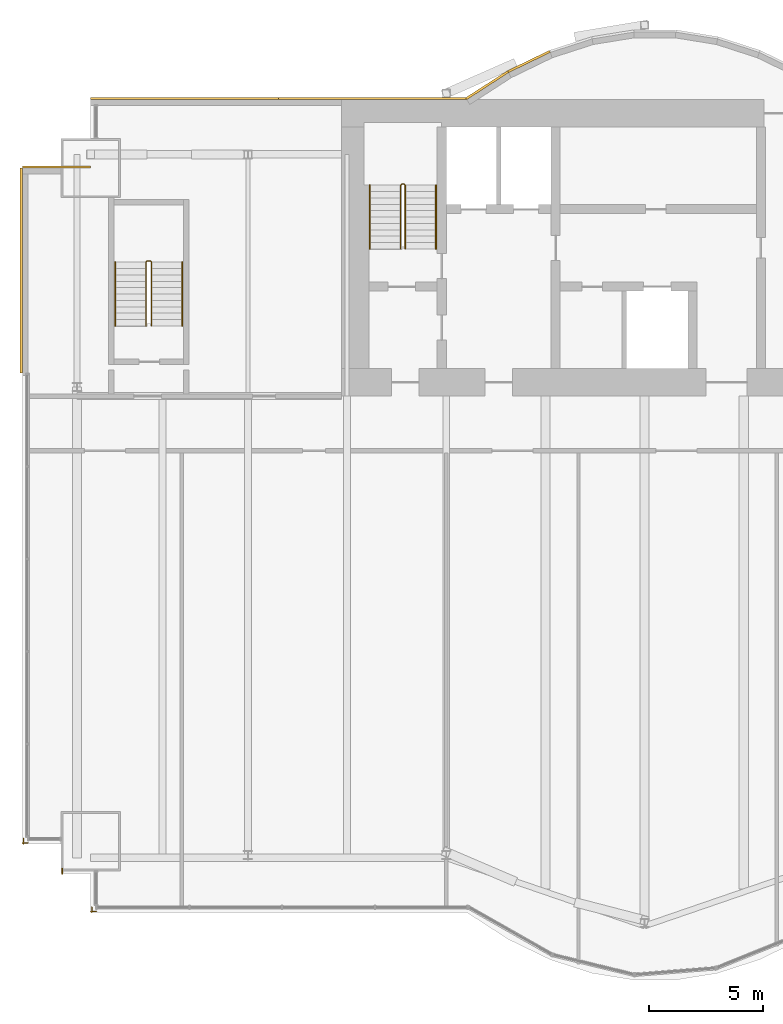
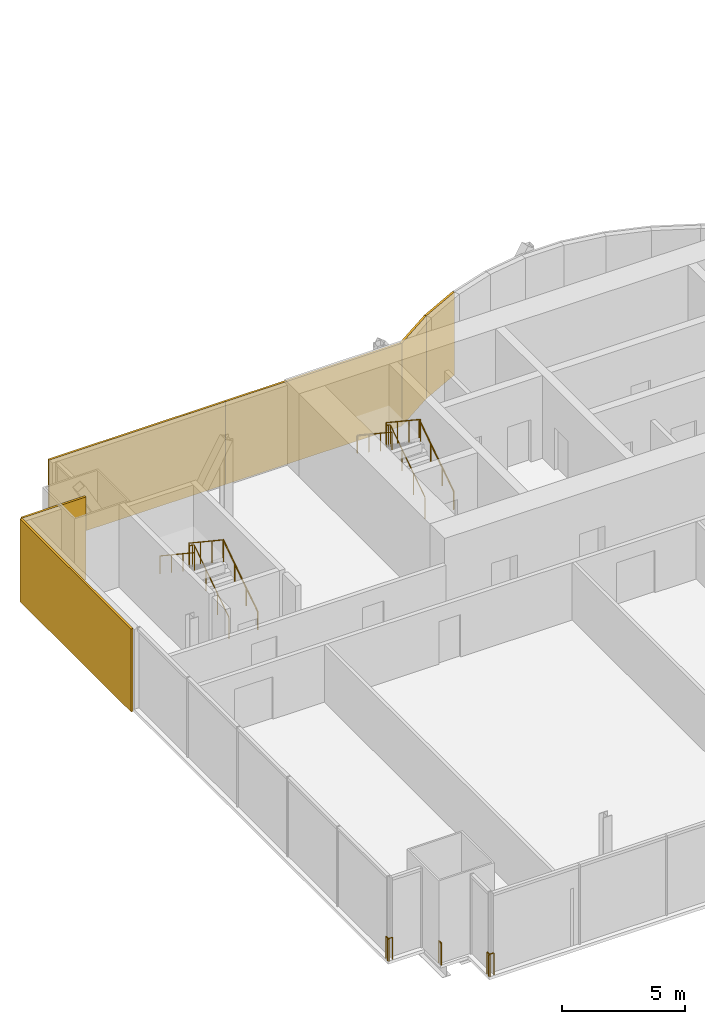
# One storey, part 20 of 22: 9 railings, 6 coverings.
"""IFC4 building model written with IfcOpenShell, lengths in metres."""

from ifc_helpers import new_model, si_unit, direction, frame, origin, origin_2d, place, context, subcontext, project, spatial, rectangle, circle, extrude, material, layer, layer_set, type_object, element, save


model = new_model("IFC4")

# Units and contexts
model_context = context("Model", 3, precision=1e-05, world=origin(), true_north=direction((0.0, 1.0)))
body_context = subcontext(model_context, "Body", "Model", "MODEL_VIEW")
ifc_project = project(units=[si_unit("LENGTHUNIT", "METRE"), si_unit("AREAUNIT", "SQUARE_METRE"), si_unit("VOLUMEUNIT", "CUBIC_METRE"), si_unit("PLANEANGLEUNIT", "RADIAN"), si_unit("MASSUNIT", "GRAM", prefix="KILO")], contexts=[model_context])

# Site, building, storey
site_placement = place(None, origin())
site = spatial("IfcSite", under=ifc_project, at=site_placement, CompositionType="ELEMENT")
building_placement = place(site_placement, origin())
building = spatial("IfcBuilding", under=site, at=building_placement, Name="Bicima Exchange Tower", CompositionType="ELEMENT")
storey_placement = place(building_placement, frame((0.0, 0.0, 148.60009765625)))
storey = spatial("IfcBuildingStorey", under=building, at=storey_placement, Name="L32", CompositionType="ELEMENT", Elevation=148.60009765625)

# Coverings
ifc_material_1 = material(Name="Bronze metal cladding")
ifc_layer_1 = layer(ifc_material_1, 0.004)
ifc_material_2 = material(Name="Ventilated cavity")
ifc_layer_2 = layer(ifc_material_2, 0.06)
ifc_material_3 = material(Name="Galvanised steel rail and mineral wool", Category="steel")
ifc_layer_3 = layer(ifc_material_3, 0.036)
ifc_layer_set = layer_set([ifc_layer_1, ifc_layer_2, ifc_layer_3], Name="Ventilated cavity")
covering_type = type_object("IfcCoveringType", Name="Bronze metal cladding panel 100", PredefinedType="CLADDING", material=ifc_layer_set)
covering_1_placement = place(storey_placement, frame((-13.771728515625, 1.674560546875, -0.150146484375), z_axis=(0.0, 0.0, 1.0), x_axis=(-0.899818346812, -0.436264762204, 0.0)))
element("IfcCovering", 1, at=covering_1_placement, inside=storey, type_object=covering_type, Name="Bronze cladding L32 18.1", PredefinedType="CLADDING", context=body_context, shape_type="SweptSolid", body=[
    extrude(rectangle(XDim=2.03759765625, YDim=0.10009765625, at=origin_2d()), origin(), (0.0, 0.0, 1.0), 4.10009765625),
])
covering_2_placement = place(storey_placement, frame((-15.610595703125, 0.634521484375, -0.150146484375), z_axis=(0.0, 0.0, 1.0), x_axis=(-0.839790466384, -0.542910648791, 0.0)))
element("IfcCovering", 2, at=covering_2_placement, inside=storey, type_object=covering_type, Name="Bronze cladding L32 19.1", PredefinedType="CLADDING", context=body_context, shape_type="SweptSolid", body=[
    extrude(rectangle(XDim=2.18310546875, YDim=0.10009765625, at=origin_2d()), origin(), (0.0, 0.0, 1.0), 4.10009765625),
])
for number, where, z_axis, x_axis, name in (
    (3, (-20.625, 0.050048828125, -0.150146484375), (0.0, 0.0, 1.0), (-1.0, 0.0, 0.0), "Bronze cladding L32 20.1"),
    (4, (-28.875, 0.050048828125, -0.150146484375), (0.0, 0.0, 1.0), (-1.0, 0.0, 0.0), "Bronze cladding L32 20.2"),
):
    element("IfcCovering", number, at=place(storey_placement, frame(where, z_axis=z_axis, x_axis=x_axis)), inside=storey, type_object=covering_type, Name=name, PredefinedType="CLADDING", context=body_context, shape_type="SweptSolid", body=[
        extrude(rectangle(XDim=8.25, YDim=0.10009765625, at=origin_2d()), origin(), (0.0, 0.0, 1.0), 4.10009765625),
    ])
covering_3_placement = place(storey_placement, frame((-34.5, -2.949951171875, -0.150146484375), z_axis=(0.0, 0.0, 1.0), x_axis=(-1.0, 0.0, 0.0)))
element("IfcCovering", 5, at=covering_3_placement, inside=storey, type_object=covering_type, Name="Bronze cladding L32 22.1", PredefinedType="CLADDING", context=body_context, shape_type="SweptSolid", body=[
    extrude(rectangle(XDim=3.0, YDim=0.10009765625, at=origin_2d()), origin(), (0.0, 0.0, 1.0), 4.10009765625),
])
covering_4_placement = place(storey_placement, frame((-36.050048828125, -7.5, -0.150146484375), z_axis=(0.0, 0.0, 1.0), x_axis=(0.0, -1.0, 0.0)))
element("IfcCovering", 6, at=covering_4_placement, inside=storey, type_object=covering_type, Name="Bronze cladding L32 23.1", PredefinedType="CLADDING", context=body_context, shape_type="SweptSolid", body=[
    extrude(rectangle(XDim=9.0, YDim=0.10009765625, at=origin_2d()), origin(), (0.0, 0.0, 1.0), 4.10009765625),
])

# Railings
ifc_material_4 = material(Name="Stainless steel and bonded safety glass", Category="steel")
railing_type_1 = type_object("IfcRailingType", Name="Edge guard 1100", PredefinedType="GUARDRAIL", material=ifc_material_4)
railing_1_placement = place(storey_placement, frame((-35.757080078125, -32.60595703125, 0.0)))
element("IfcRailing", 7, at=railing_1_placement, inside=storey, type_object=railing_type_1, Name="Edge guard L32 155", PredefinedType="GUARDRAIL", context=body_context, shape_type="SweptSolid", body=[
    extrude(circle(Radius=0.02392578125, at=origin_2d()), frame((0.0, 0.0, 1.076171875), z_axis=(-1.0, 0.0, 0.0), x_axis=(0.0, -1.0, 0.0)), (0.0, 0.0, 1.0), 0.242919921875),
    extrude(circle(Radius=0.02392578125, at=origin_2d()), frame((-0.242919921875, 0.0, 1.076171875), z_axis=(0.707106781187, -0.707106781187, 0.0), x_axis=(0.707106781187, 0.707106781187, 0.0)), (0.0, 0.0, 1.0), 0.07080078125),
    extrude(circle(Radius=0.02392578125, at=origin_2d()), frame((-0.19287109375, -0.050048828125, 1.076171875), z_axis=(0.0, 1.0, 0.0), x_axis=(-1.0, 0.0, 0.0)), (0.0, 0.0, 1.0), 0.2490234375),
    extrude(circle(Radius=0.02099609375, at=origin_2d()), origin(), (0.0, 0.0, 1.0), 1.052001953125),
    extrude(circle(Radius=0.02099609375, at=origin_2d()), frame((-0.242919921875, 0.0, 0.0)), (0.0, 0.0, 1.0), 1.052001953125),
    extrude(circle(Radius=0.02099609375, at=origin_2d()), frame((-0.19287109375, -0.050048828125, 0.0)), (0.0, 0.0, 1.0), 1.052001953125),
    extrude(circle(Radius=0.02099609375, at=origin_2d()), frame((-0.19287109375, 0.198974609375, 0.0)), (0.0, 0.0, 1.0), 1.052001953125),
])
railing_2_placement = place(storey_placement, frame((-32.75, -35.60595703125, 0.0)))
element("IfcRailing", 8, at=railing_2_placement, inside=storey, type_object=railing_type_1, Name="Edge guard L32 159", PredefinedType="GUARDRAIL", context=body_context, shape_type="SweptSolid", body=[
    extrude(circle(Radius=0.02392578125, at=origin_2d()), frame((0.0, 0.0, 1.076171875), z_axis=(-1.0, 0.0, 0.0), x_axis=(0.0, -1.0, 0.0)), (0.0, 0.0, 1.0), 0.25),
    extrude(circle(Radius=0.02392578125, at=origin_2d()), frame((-0.25, 0.0, 1.076171875), z_axis=(0.707106781187, -0.707106781187, 0.0), x_axis=(0.707106781187, 0.707106781187, 0.0)), (0.0, 0.0, 1.0), 0.07080078125),
    extrude(circle(Radius=0.02392578125, at=origin_2d()), frame((-0.199951171875, -0.050048828125, 1.076171875), z_axis=(0.0, 1.0, 0.0), x_axis=(-1.0, 0.0, 0.0)), (0.0, 0.0, 1.0), 0.242919921875),
    extrude(circle(Radius=0.02099609375, at=origin_2d()), origin(), (0.0, 0.0, 1.0), 1.052001953125),
    extrude(circle(Radius=0.02099609375, at=origin_2d()), frame((-0.25, 0.0, 0.0)), (0.0, 0.0, 1.0), 1.052001953125),
    extrude(circle(Radius=0.02099609375, at=origin_2d()), frame((-0.199951171875, -0.050048828125, 0.0)), (0.0, 0.0, 1.0), 1.052001953125),
    extrude(circle(Radius=0.02099609375, at=origin_2d()), frame((-0.199951171875, 0.19287109375, 0.0)), (0.0, 0.0, 1.0), 1.052001953125),
])
railing_3_placement = place(storey_placement, frame((-34.25, -33.9560546875, 0.0)))
element("IfcRailing", 9, at=railing_3_placement, inside=storey, type_object=railing_type_1, Name="Edge guard L32 160", PredefinedType="GUARDRAIL", context=body_context, shape_type="SweptSolid", body=[
    extrude(circle(Radius=0.02392578125, at=origin_2d()), frame((0.0, 0.0, 1.076171875), z_axis=(0.0, 1.0, 0.0), x_axis=(-1.0, 0.0, 0.0)), (0.0, 0.0, 1.0), 0.217041015625),
    extrude(circle(Radius=0.02099609375, at=origin_2d()), origin(), (0.0, 0.0, 1.0), 1.052001953125),
    extrude(circle(Radius=0.02099609375, at=origin_2d()), frame((0.0, 0.217041015625, 0.0)), (0.0, 0.0, 1.0), 1.052001953125),
])
ifc_material_5 = material(Name="Stainless steel", Category="steel")
railing_type_2 = type_object("IfcRailingType", Name="Stair guard 1100", PredefinedType="GUARDRAIL", material=ifc_material_5)
railing_4_placement = place(storey_placement, frame((-19.199951171875, -6.550048828125, 0.186279296875)))
element("IfcRailing", 10, at=railing_4_placement, inside=storey, type_object=railing_type_2, Name="L32 ST-W stair guard 1", PredefinedType="GUARDRAIL", context=body_context, shape_type="SweptSolid", body=[
    extrude(circle(Radius=0.02392578125, at=origin_2d()), frame((0.0, 0.0, 1.076171875), z_axis=(0.0, 0.832485552168, 0.554046753832), x_axis=(-1.0, 0.0, 0.0)), (0.0, 0.0, 1.0), 3.363525390625),
    extrude(circle(Radius=0.02392578125, at=origin_2d()), frame((0.0, 2.800048828125, 2.939453125), z_axis=(-0.707106781187, 0.707106781187, 0.0), x_axis=(-0.707106781187, -0.707106781187, 0.0)), (0.0, 0.0, 1.0), 0.07080078125),
    extrude(circle(Radius=0.02392578125, at=origin_2d()), frame((-0.050048828125, 2.85009765625, 2.939453125), z_axis=(-1.0, 0.0, 0.0), x_axis=(0.0, -1.0, 0.0)), (0.0, 0.0, 1.0), 0.10009765625),
    extrude(circle(Radius=0.02392578125, at=origin_2d()), frame((-0.150146484375, 2.85009765625, 2.939453125), z_axis=(-0.249722437352, -0.250946566947, 0.935235010476), x_axis=(0.708833529934, -0.705375805398, 0.0)), (0.0, 0.0, 1.0), 0.199462890625),
    extrude(circle(Radius=0.02392578125, at=origin_2d()), frame((-0.199951171875, 2.800048828125, 3.1259765625), z_axis=(0.0, -0.832485552168, 0.554046753832), x_axis=(1.0, 0.0, 0.0)), (0.0, 0.0, 1.0), 3.363525390625),
    extrude(circle(Radius=0.02099609375, at=origin_2d()), origin(), (0.0, 0.0, 1.0), 1.052001953125),
    extrude(circle(Radius=0.02099609375, at=origin_2d()), frame((0.0, 0.933349609375, 0.62109375)), (0.0, 0.0, 1.0), 1.052001953125),
    extrude(circle(Radius=0.02099609375, at=origin_2d()), frame((0.0, 1.86669921875, 1.242431640625)), (0.0, 0.0, 1.0), 1.052001953125),
    extrude(circle(Radius=0.02099609375, at=origin_2d()), frame((0.0, 2.800048828125, 1.863525390625)), (0.0, 0.0, 1.0), 1.052001953125),
    extrude(circle(Radius=0.02099609375, at=origin_2d()), frame((-0.050048828125, 2.85009765625, 1.863525390625)), (0.0, 0.0, 1.0), 1.052001953125),
    extrude(circle(Radius=0.02099609375, at=origin_2d()), frame((-0.150146484375, 2.85009765625, 1.863525390625)), (0.0, 0.0, 1.0), 1.052001953125),
    extrude(circle(Radius=0.02099609375, at=origin_2d()), frame((-0.199951171875, 2.800048828125, 2.050048828125)), (0.0, 0.0, 1.0), 1.052001953125),
    extrude(circle(Radius=0.02099609375, at=origin_2d()), frame((-0.199951171875, 1.86669921875, 2.671142578125)), (0.0, 0.0, 1.0), 1.052001953125),
    extrude(circle(Radius=0.02099609375, at=origin_2d()), frame((-0.199951171875, 0.933349609375, 3.29248046875)), (0.0, 0.0, 1.0), 1.052001953125),
    extrude(circle(Radius=0.02099609375, at=origin_2d()), frame((-0.199951171875, 0.0, 3.91357421875)), (0.0, 0.0, 1.0), 1.052001953125),
])
railing_5_placement = place(storey_placement, frame((-30.324951171875, -9.925048828125, 0.186279296875)))
element("IfcRailing", 11, at=railing_5_placement, inside=storey, type_object=railing_type_2, Name="L32 ST-WW stair guard 1", PredefinedType="GUARDRAIL", context=body_context, shape_type="SweptSolid", body=[
    extrude(circle(Radius=0.02392578125, at=origin_2d()), frame((0.0, 0.0, 1.076171875), z_axis=(0.0, 0.832485552168, 0.554046753832), x_axis=(-1.0, 0.0, 0.0)), (0.0, 0.0, 1.0), 3.363525390625),
    extrude(circle(Radius=0.02392578125, at=origin_2d()), frame((0.0, 2.800048828125, 2.939453125), z_axis=(-0.707106781187, 0.707106781187, 0.0), x_axis=(-0.707106781187, -0.707106781187, 0.0)), (0.0, 0.0, 1.0), 0.07080078125),
    extrude(circle(Radius=0.02392578125, at=origin_2d()), frame((-0.050048828125, 2.85009765625, 2.939453125), z_axis=(-1.0, 0.0, 0.0), x_axis=(0.0, -1.0, 0.0)), (0.0, 0.0, 1.0), 0.14990234375),
    extrude(circle(Radius=0.02392578125, at=origin_2d()), frame((-0.199951171875, 2.85009765625, 2.939453125), z_axis=(-0.250869701741, -0.250869701741, 0.934948546978), x_axis=(0.707106781187, -0.707106781187, 0.0)), (0.0, 0.0, 1.0), 0.199462890625),
    extrude(circle(Radius=0.02392578125, at=origin_2d()), frame((-0.25, 2.800048828125, 3.1259765625), z_axis=(0.0, -0.832485552168, 0.554046753832), x_axis=(1.0, 0.0, 0.0)), (0.0, 0.0, 1.0), 3.363525390625),
    extrude(circle(Radius=0.02099609375, at=origin_2d()), origin(), (0.0, 0.0, 1.0), 1.052001953125),
    extrude(circle(Radius=0.02099609375, at=origin_2d()), frame((0.0, 0.933349609375, 0.62109375)), (0.0, 0.0, 1.0), 1.052001953125),
    extrude(circle(Radius=0.02099609375, at=origin_2d()), frame((0.0, 1.86669921875, 1.242431640625)), (0.0, 0.0, 1.0), 1.052001953125),
    extrude(circle(Radius=0.02099609375, at=origin_2d()), frame((0.0, 2.800048828125, 1.863525390625)), (0.0, 0.0, 1.0), 1.052001953125),
    extrude(circle(Radius=0.02099609375, at=origin_2d()), frame((-0.050048828125, 2.85009765625, 1.863525390625)), (0.0, 0.0, 1.0), 1.052001953125),
    extrude(circle(Radius=0.02099609375, at=origin_2d()), frame((-0.199951171875, 2.85009765625, 1.863525390625)), (0.0, 0.0, 1.0), 1.052001953125),
    extrude(circle(Radius=0.02099609375, at=origin_2d()), frame((-0.25, 2.800048828125, 2.050048828125)), (0.0, 0.0, 1.0), 1.052001953125),
    extrude(circle(Radius=0.02099609375, at=origin_2d()), frame((-0.25, 1.86669921875, 2.671142578125)), (0.0, 0.0, 1.0), 1.052001953125),
    extrude(circle(Radius=0.02099609375, at=origin_2d()), frame((-0.25, 0.933349609375, 3.29248046875)), (0.0, 0.0, 1.0), 1.052001953125),
    extrude(circle(Radius=0.02099609375, at=origin_2d()), frame((-0.25, 0.0, 3.91357421875)), (0.0, 0.0, 1.0), 1.052001953125),
])
railing_type_3 = type_object("IfcRailingType", Name="Stair handrail 900", PredefinedType="HANDRAIL", material=ifc_material_5)
railing_6_placement = place(storey_placement, frame((-17.85009765625, -6.550048828125, 0.186279296875)))
element("IfcRailing", 12, at=railing_6_placement, inside=storey, type_object=railing_type_3, Name="L32 ST-W stair handrail 1", PredefinedType="HANDRAIL", context=body_context, shape_type="SweptSolid", body=[
    extrude(circle(Radius=0.02392578125, at=origin_2d()), frame((0.0, 0.0, 0.8759765625), z_axis=(0.0, 0.832485552168, 0.554046753832), x_axis=(-1.0, 0.0, 0.0)), (0.0, 0.0, 1.0), 3.363525390625),
    extrude(circle(Radius=0.02099609375, at=origin_2d()), origin(), (0.0, 0.0, 1.0), 0.851806640625),
    extrude(circle(Radius=0.02099609375, at=origin_2d()), frame((0.0, 0.933349609375, 0.62109375)), (0.0, 0.0, 1.0), 0.851806640625),
    extrude(circle(Radius=0.02099609375, at=origin_2d()), frame((0.0, 1.86669921875, 1.242431640625)), (0.0, 0.0, 1.0), 0.851806640625),
    extrude(circle(Radius=0.02099609375, at=origin_2d()), frame((0.0, 2.800048828125, 1.863525390625)), (0.0, 0.0, 1.0), 0.851806640625),
])
railing_7_placement = place(storey_placement, frame((-20.75, -3.75, 2.276611328125)))
element("IfcRailing", 13, at=railing_7_placement, inside=storey, type_object=railing_type_3, Name="L32 ST-W stair handrail 2", PredefinedType="HANDRAIL", context=body_context, shape_type="SweptSolid", body=[
    extrude(circle(Radius=0.02392578125, at=origin_2d()), frame((0.0, 0.0, 0.8759765625), z_axis=(0.0, -0.832452072856, 0.554097055034), x_axis=(1.0, 0.0, 0.0)), (0.0, 0.0, 1.0), 3.363525390625),
    extrude(circle(Radius=0.02099609375, at=origin_2d()), origin(), (0.0, 0.0, 1.0), 0.851806640625),
    extrude(circle(Radius=0.02099609375, at=origin_2d()), frame((0.0, -0.933349609375, 0.621337890625)), (0.0, 0.0, 1.0), 0.851806640625),
    extrude(circle(Radius=0.02099609375, at=origin_2d()), frame((0.0, -1.86669921875, 1.242431640625)), (0.0, 0.0, 1.0), 0.851806640625),
    extrude(circle(Radius=0.02099609375, at=origin_2d()), frame((0.0, -2.800048828125, 1.86376953125)), (0.0, 0.0, 1.0), 0.851806640625),
])
railing_8_placement = place(storey_placement, frame((-28.97509765625, -9.925048828125, 0.186279296875)))
element("IfcRailing", 14, at=railing_8_placement, inside=storey, type_object=railing_type_3, Name="L32 ST-WW stair handrail 1", PredefinedType="HANDRAIL", context=body_context, shape_type="SweptSolid", body=[
    extrude(circle(Radius=0.02392578125, at=origin_2d()), frame((0.0, 0.0, 0.8759765625), z_axis=(0.0, 0.832485552168, 0.554046753832), x_axis=(-1.0, 0.0, 0.0)), (0.0, 0.0, 1.0), 3.363525390625),
    extrude(circle(Radius=0.02099609375, at=origin_2d()), origin(), (0.0, 0.0, 1.0), 0.851806640625),
    extrude(circle(Radius=0.02099609375, at=origin_2d()), frame((0.0, 0.933349609375, 0.62109375)), (0.0, 0.0, 1.0), 0.851806640625),
    extrude(circle(Radius=0.02099609375, at=origin_2d()), frame((0.0, 1.86669921875, 1.242431640625)), (0.0, 0.0, 1.0), 0.851806640625),
    extrude(circle(Radius=0.02099609375, at=origin_2d()), frame((0.0, 2.800048828125, 1.863525390625)), (0.0, 0.0, 1.0), 0.851806640625),
])
railing_9_placement = place(storey_placement, frame((-31.925048828125, -7.125, 2.276611328125)))
element("IfcRailing", 15, at=railing_9_placement, inside=storey, type_object=railing_type_3, Name="L32 ST-WW stair handrail 2", PredefinedType="HANDRAIL", context=body_context, shape_type="SweptSolid", body=[
    extrude(circle(Radius=0.02392578125, at=origin_2d()), frame((0.0, 0.0, 0.8759765625), z_axis=(0.0, -0.832452072856, 0.554097055034), x_axis=(1.0, 0.0, 0.0)), (0.0, 0.0, 1.0), 3.363525390625),
    extrude(circle(Radius=0.02099609375, at=origin_2d()), origin(), (0.0, 0.0, 1.0), 0.851806640625),
    extrude(circle(Radius=0.02099609375, at=origin_2d()), frame((0.0, -0.933349609375, 0.621337890625)), (0.0, 0.0, 1.0), 0.851806640625),
    extrude(circle(Radius=0.02099609375, at=origin_2d()), frame((0.0, -1.86669921875, 1.242431640625)), (0.0, 0.0, 1.0), 0.851806640625),
    extrude(circle(Radius=0.02099609375, at=origin_2d()), frame((0.0, -2.800048828125, 1.86376953125)), (0.0, 0.0, 1.0), 0.851806640625),
])

save(model, "model.ifc")
